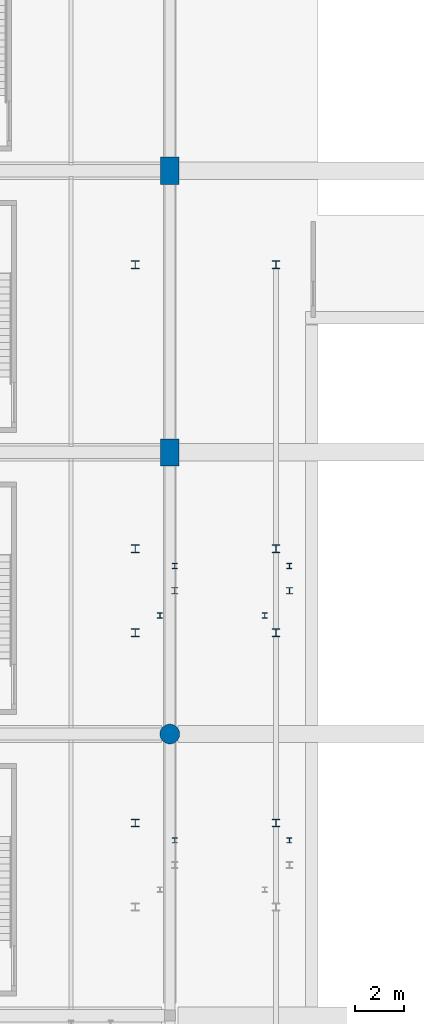
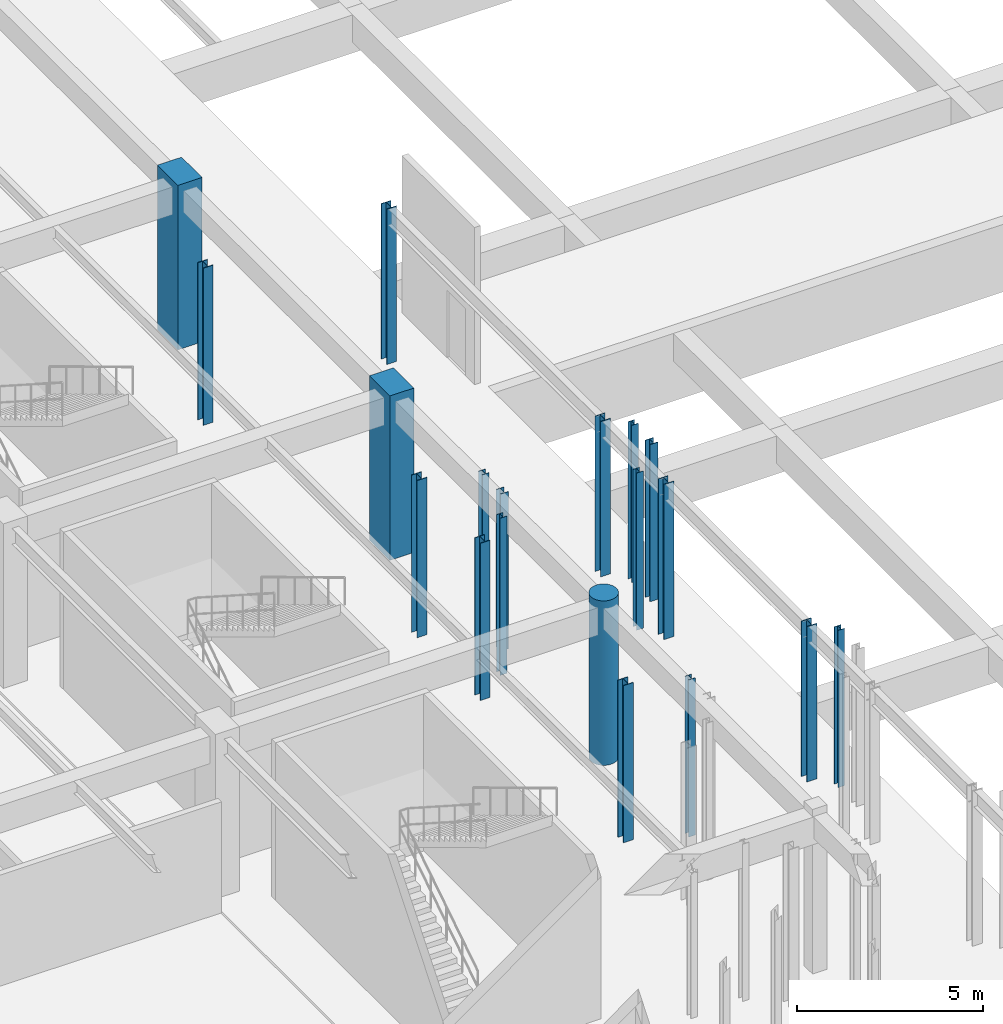
# One storey, part 21 of 113: 19 columns.
"""IFC4 building model written with IfcOpenShell, lengths in metres."""

from ifc_helpers import new_model, si_unit, direction, frame, origin, origin_2d, place, context, subcontext, project, spatial, rectangle, circle, i_section, extrude, material, material_profile, profile_set, type_object, element, save


model = new_model("IFC4")

# Units and contexts
model_context = context("Model", 3, precision=1e-05, world=origin(), true_north=direction((0.0, 1.0)))
body_context = subcontext(model_context, "Body", "Model", "MODEL_VIEW")
ifc_project = project(units=[si_unit("LENGTHUNIT", "METRE"), si_unit("AREAUNIT", "SQUARE_METRE"), si_unit("VOLUMEUNIT", "CUBIC_METRE"), si_unit("PLANEANGLEUNIT", "RADIAN"), si_unit("MASSUNIT", "GRAM", prefix="KILO"), si_unit("POWERUNIT", "WATT"), si_unit("THERMODYNAMICTEMPERATUREUNIT", "KELVIN")], contexts=[model_context])

# Site, building, storey
site_placement = place(None, origin())
site = spatial("IfcSite", under=ifc_project, at=site_placement, CompositionType="ELEMENT")
building_placement = place(site_placement, origin())
building = spatial("IfcBuilding", under=site, at=building_placement, Name="Kelmbourne Parkland Aquatics Centre", CompositionType="ELEMENT")
storey_placement = place(building_placement, origin())
storey = spatial("IfcBuildingStorey", under=building, at=storey_placement, Name="L00", CompositionType="ELEMENT", Elevation=0.0)

# Columns
ifc_material_1 = material(Name="Concrete C40/50", Category="concrete")
ifc_material_profile_1 = material_profile(ifc_material_1, rectangle(XDim=0.75, YDim=1.10009765625, at=origin_2d()), Name="RC 750x1100")
ifc_profile_set_1 = profile_set([ifc_material_profile_1], Name="Concrete C40/50")
column_type_1 = type_object("IfcColumnType", Name="COL-C03", PredefinedType="COLUMN", material=ifc_profile_set_1)
for number, where, z_axis, x_axis, name in (
    (1, (140.0, 80.60009765625, 0.0), (0.0, 0.0, 1.0), (1.0, 0.0, 0.0), "Structural column Q-11 (L00)"),
    (2, (140.0, 92.0, 0.0), (0.0, 0.0, 1.0), (1.0, 0.0, 0.0), "Structural column Q-12 (L00)"),
):
    element("IfcColumn", number, at=place(storey_placement, frame(where, z_axis=z_axis, x_axis=x_axis)), inside=storey, type_object=column_type_1, Name=name, PredefinedType="COLUMN", context=body_context, shape_type="SweptSolid", body=[
        extrude(rectangle(XDim=0.75, YDim=1.10009765625, at=origin_2d()), origin(), (0.0, 0.0, 1.0), 5.39990234375),
    ])
ifc_material_profile_2 = material_profile(ifc_material_1, circle(Radius=0.39990234375, at=origin_2d()), Name="RC D800")
ifc_profile_set_2 = profile_set([ifc_material_profile_2], Name="Concrete C40/50")
column_type_2 = type_object("IfcColumnType", Name="COL-C09", PredefinedType="COLUMN", material=ifc_profile_set_2)
column_1_placement = place(storey_placement, frame((140.0, 69.199951171875, 0.0), z_axis=(0.0, 0.0, 1.0), x_axis=(1.0, 0.0, 0.0)))
element("IfcColumn", 3, at=column_1_placement, inside=storey, type_object=column_type_2, Name="Structural column Q-10 (L00)", PredefinedType="COLUMN", context=body_context, shape_type="SweptSolid", body=[
    extrude(circle(Radius=0.39990234375, at=origin_2d()), origin(), (0.0, 0.0, 1.0), 5.39990234375),
])
ifc_material_2 = material(Name="Structural steel AS/NZS 3679.1 Grade 300", Category="steel")
ifc_material_profile_3 = material_profile(ifc_material_2, i_section(OverallWidth=0.306884765625, OverallDepth=0.31494140625, WebThickness=0.011962890625, FlangeThickness=0.018798828125, at=origin_2d()), Name="310UC118")
ifc_profile_set_3 = profile_set([ifc_material_profile_3], Name="Structural steel AS/NZS 3679.1 Grade 300")
column_type_3 = type_object("IfcColumnType", Name="COL-C16", PredefinedType="COLUMN", material=ifc_profile_set_3)
column_2_placement = place(storey_placement, frame((144.300048828125, 65.60009765625, 0.0), z_axis=(0.0, 0.0, 1.0), x_axis=(1.0, 0.0, 0.0)))
element("IfcColumn", 4, at=column_2_placement, inside=storey, type_object=column_type_3, Name="Bowl FRT L00 pier 7", PredefinedType="COLUMN", context=body_context, shape_type="SweptSolid", body=[
    extrude(i_section(OverallWidth=0.306884765625, OverallDepth=0.31494140625, WebThickness=0.011962890625, FlangeThickness=0.018798828125, at=origin_2d()), origin(), (0.0, 0.0, 1.0), 5.10009765625),
])
column_3_placement = place(storey_placement, frame((138.60009765625, 65.60009765625, 0.0), z_axis=(0.0, 0.0, 1.0), x_axis=(1.0, 0.0, 0.0)))
element("IfcColumn", 5, at=column_3_placement, inside=storey, type_object=column_type_3, Name="Bowl RER L00 pier 7", PredefinedType="COLUMN", context=body_context, shape_type="SweptSolid", body=[
    extrude(i_section(OverallWidth=0.306884765625, OverallDepth=0.31494140625, WebThickness=0.011962890625, FlangeThickness=0.018798828125, at=origin_2d()), origin(), (0.0, 0.0, 1.0), 5.159912109375),
])
column_4_placement = place(storey_placement, frame((144.300048828125, 73.300048828125, 0.0), z_axis=(0.0, 0.0, 1.0), x_axis=(1.0, 0.0, 0.0)))
element("IfcColumn", 6, at=column_4_placement, inside=storey, type_object=column_type_3, Name="Bowl FRT L00 pier 8", PredefinedType="COLUMN", context=body_context, shape_type="SweptSolid", body=[
    extrude(i_section(OverallWidth=0.306884765625, OverallDepth=0.31494140625, WebThickness=0.011962890625, FlangeThickness=0.018798828125, at=origin_2d()), origin(), (0.0, 0.0, 1.0), 5.10009765625),
])
column_5_placement = place(storey_placement, frame((138.60009765625, 73.300048828125, 0.0), z_axis=(0.0, 0.0, 1.0), x_axis=(1.0, 0.0, 0.0)))
element("IfcColumn", 7, at=column_5_placement, inside=storey, type_object=column_type_3, Name="Bowl RER L00 pier 8", PredefinedType="COLUMN", context=body_context, shape_type="SweptSolid", body=[
    extrude(i_section(OverallWidth=0.306884765625, OverallDepth=0.31494140625, WebThickness=0.011962890625, FlangeThickness=0.018798828125, at=origin_2d()), origin(), (0.0, 0.0, 1.0), 5.159912109375),
])
column_6_placement = place(storey_placement, frame((144.300048828125, 76.699951171875, 0.0), z_axis=(0.0, 0.0, 1.0), x_axis=(1.0, 0.0, 0.0)))
element("IfcColumn", 8, at=column_6_placement, inside=storey, type_object=column_type_3, Name="Bowl FRT L00 pier 9", PredefinedType="COLUMN", context=body_context, shape_type="SweptSolid", body=[
    extrude(i_section(OverallWidth=0.306884765625, OverallDepth=0.31494140625, WebThickness=0.011962890625, FlangeThickness=0.018798828125, at=origin_2d()), origin(), (0.0, 0.0, 1.0), 5.10009765625),
])
column_7_placement = place(storey_placement, frame((138.60009765625, 76.699951171875, 0.0), z_axis=(0.0, 0.0, 1.0), x_axis=(1.0, 0.0, 0.0)))
element("IfcColumn", 9, at=column_7_placement, inside=storey, type_object=column_type_3, Name="Bowl RER L00 pier 9", PredefinedType="COLUMN", context=body_context, shape_type="SweptSolid", body=[
    extrude(i_section(OverallWidth=0.306884765625, OverallDepth=0.31494140625, WebThickness=0.011962890625, FlangeThickness=0.018798828125, at=origin_2d()), origin(), (0.0, 0.0, 1.0), 5.159912109375),
])
column_8_placement = place(storey_placement, frame((144.300048828125, 88.199951171875, 0.0), z_axis=(0.0, 0.0, 1.0), x_axis=(1.0, 0.0, 0.0)))
element("IfcColumn", 10, at=column_8_placement, inside=storey, type_object=column_type_3, Name="Bowl FRT L00 pier 10", PredefinedType="COLUMN", context=body_context, shape_type="SweptSolid", body=[
    extrude(i_section(OverallWidth=0.306884765625, OverallDepth=0.31494140625, WebThickness=0.011962890625, FlangeThickness=0.018798828125, at=origin_2d()), origin(), (0.0, 0.0, 1.0), 5.10009765625),
])
column_9_placement = place(storey_placement, frame((138.60009765625, 88.199951171875, 0.0), z_axis=(0.0, 0.0, 1.0), x_axis=(1.0, 0.0, 0.0)))
element("IfcColumn", 11, at=column_9_placement, inside=storey, type_object=column_type_3, Name="Bowl RER L00 pier 10", PredefinedType="COLUMN", context=body_context, shape_type="SweptSolid", body=[
    extrude(i_section(OverallWidth=0.306884765625, OverallDepth=0.31494140625, WebThickness=0.011962890625, FlangeThickness=0.018798828125, at=origin_2d()), origin(), (0.0, 0.0, 1.0), 5.159912109375),
])
ifc_material_profile_4 = material_profile(ifc_material_2, i_section(OverallWidth=0.25390625, OverallDepth=0.25390625, WebThickness=0.008544921875, FlangeThickness=0.01416015625, at=origin_2d()), Name="250UC72.9")
ifc_profile_set_4 = profile_set([ifc_material_profile_4], Name="Structural steel AS/NZS 3679.1 Grade 300")
column_type_4 = type_object("IfcColumnType", Name="COL-C18", PredefinedType="COLUMN", material=ifc_profile_set_4)
for number, where, z_axis, x_axis, name in (
    (12, (144.840087890625, 75.0, 0.0), (0.0, 0.0, 1.0), (1.0, 0.0, 0.0), "VM04 BOT1 L00 pier"),
    (13, (140.199951171875, 75.0, 0.0), (0.0, 0.0, 1.0), (1.0, 0.0, 0.0), "VM04 TOP1 L00 pier"),
):
    element("IfcColumn", number, at=place(storey_placement, frame(where, z_axis=z_axis, x_axis=x_axis)), inside=storey, type_object=column_type_4, Name=name, PredefinedType="COLUMN", context=body_context, shape_type="SweptSolid", body=[
        extrude(i_section(OverallWidth=0.25390625, OverallDepth=0.25390625, WebThickness=0.008544921875, FlangeThickness=0.01416015625, at=origin_2d()), origin(), (0.0, 0.0, 1.0), 5.159912109375),
    ])
ifc_material_profile_5 = material_profile(ifc_material_2, i_section(OverallWidth=0.205078125, OverallDepth=0.2099609375, WebThickness=0.00927734375, FlangeThickness=0.01416015625, at=origin_2d()), Name="200UC59.5")
ifc_profile_set_5 = profile_set([ifc_material_profile_5], Name="Structural steel AS/NZS 3679.1 Grade 300")
column_type_5 = type_object("IfcColumnType", Name="COL-C19", PredefinedType="COLUMN", material=ifc_profile_set_5)
for number, where, z_axis, x_axis, name in (
    (14, (144.840087890625, 64.89990234375, 0.0), (0.0, 0.0, 1.0), (1.0, 0.0, 0.0), "VM03 BOT2 L00 pier"),
    (15, (140.199951171875, 64.89990234375, 0.0), (0.0, 0.0, 1.0), (1.0, 0.0, 0.0), "VM03 TOP2 L00 pier"),
    (16, (144.840087890625, 76.0, 0.0), (0.0, 0.0, 1.0), (1.0, 0.0, 0.0), "VM04 BOT2 L00 pier"),
    (17, (143.840087890625, 74.0, 0.0), (0.0, 0.0, 1.0), (1.0, 0.0, 0.0), "VM04 BOT3 L00 pier"),
    (18, (140.199951171875, 76.0, 0.0), (0.0, 0.0, 1.0), (1.0, 0.0, 0.0), "VM04 TOP2 L00 pier"),
    (19, (139.60009765625, 74.0, 0.0), (0.0, 0.0, 1.0), (1.0, 0.0, 0.0), "VM04 TOP3 L00 pier"),
):
    element("IfcColumn", number, at=place(storey_placement, frame(where, z_axis=z_axis, x_axis=x_axis)), inside=storey, type_object=column_type_5, Name=name, PredefinedType="COLUMN", context=body_context, shape_type="SweptSolid", body=[
        extrude(i_section(OverallWidth=0.205078125, OverallDepth=0.2099609375, WebThickness=0.00927734375, FlangeThickness=0.01416015625, at=origin_2d()), origin(), (0.0, 0.0, 1.0), 5.159912109375),
    ])

save(model, "model.ifc")
